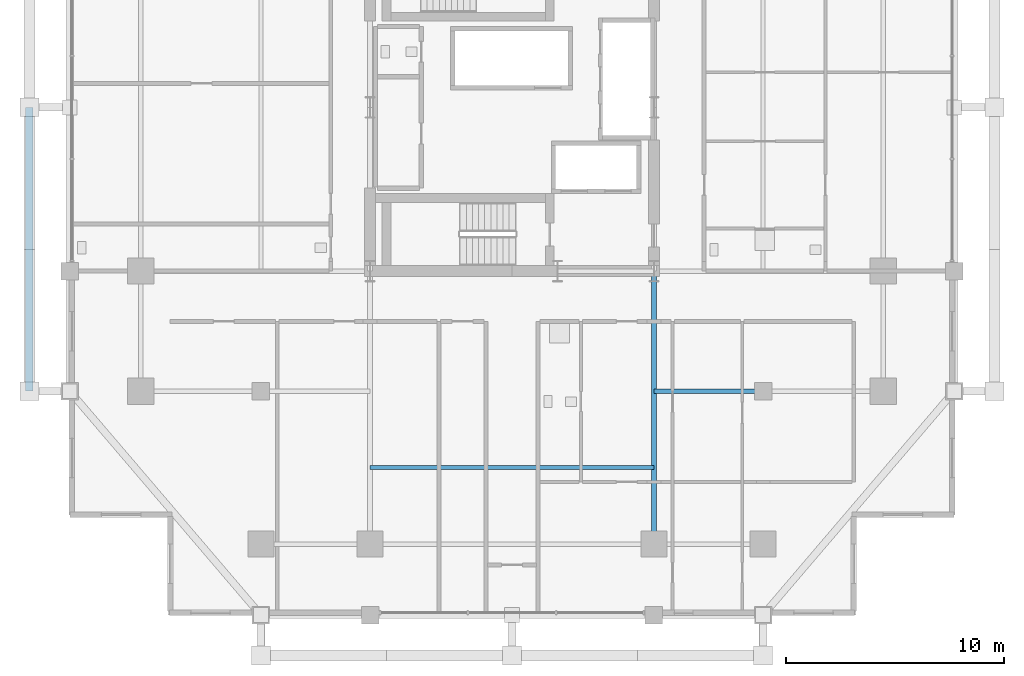
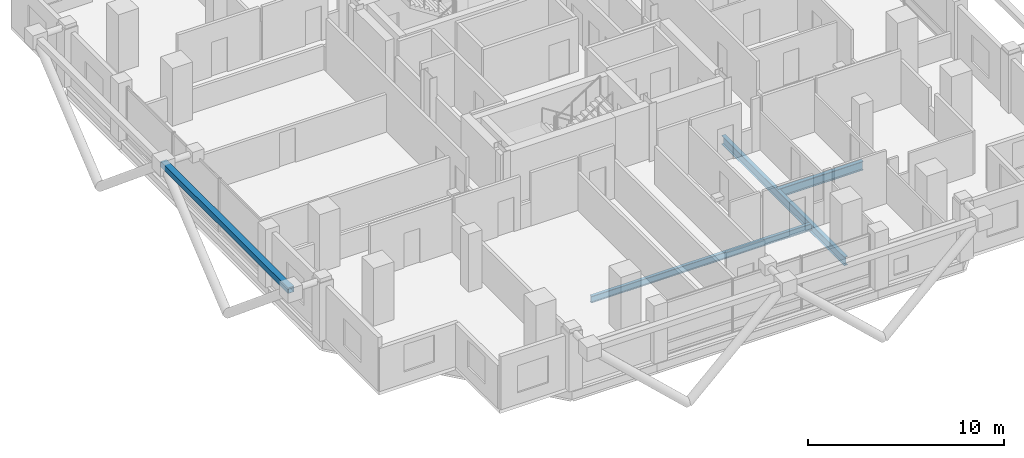
# One storey, part 4 of 25: 3 beams, 1 member.
"""IFC4 building model written with IfcOpenShell, lengths in metres."""

from ifc_helpers import new_model, si_unit, direction, frame, origin, origin_2d, place, context, subcontext, project, spatial, hollow_rectangle, i_section, extrude, material, material_profile, profile_set, type_object, element, save


model = new_model("IFC4")

# Units and contexts
model_context = context("Model", 3, precision=1e-05, world=origin(), true_north=direction((0.0, 1.0)))
body_context = subcontext(model_context, "Body", "Model", "MODEL_VIEW")
ifc_project = project(units=[si_unit("LENGTHUNIT", "METRE"), si_unit("AREAUNIT", "SQUARE_METRE"), si_unit("VOLUMEUNIT", "CUBIC_METRE"), si_unit("PLANEANGLEUNIT", "RADIAN"), si_unit("MASSUNIT", "GRAM", prefix="KILO")], contexts=[model_context])

# Site, building, storey
site_placement = place(None, origin())
site = spatial("IfcSite", under=ifc_project, at=site_placement, CompositionType="ELEMENT")
building_placement = place(site_placement, origin())
building = spatial("IfcBuilding", under=site, at=building_placement, Name="Barlavira Tower and Art Museum", CompositionType="ELEMENT")
storey_placement = place(building_placement, frame((0.0, 0.0, 162.0)))
storey = spatial("IfcBuildingStorey", under=building, at=storey_placement, Name="L41", CompositionType="ELEMENT", Elevation=162.0)

# Member
ifc_material = material(Name="Steel S355", Category="steel")
ifc_material_profile_1 = material_profile(ifc_material, hollow_rectangle(XDim=0.35009765625, YDim=0.35009765625, WallThickness=0.02001953125, at=origin_2d()), Name="SHS 350x350x20.0")
ifc_profile_set_1 = profile_set([ifc_material_profile_1], Name="Steel S355")
member_type = type_object("IfcMemberType", Name="Pale-Metal Exoskeleton Ring Strut SHS 350x350x20 Steel S355", PredefinedType="STRUT", material=ifc_profile_set_1)
member_placement = place(storey_placement, frame((-22.10009765625, -13.0, 3.47998046875), z_axis=(0.0, 1.0, 0.0), x_axis=(-1.0, 0.0, 0.0)))
element("IfcMember", 1, at=member_placement, inside=storey, type_object=member_type, Name="L41 Exoskeleton Top Ring Strut W", PredefinedType="STRUT", context=body_context, shape_type="SweptSolid", body=[
    extrude(hollow_rectangle(XDim=0.35009765625, YDim=0.35009765625, WallThickness=0.02001953125, at=origin_2d()), origin(), (0.0, 0.0, 1.0), 13.0),
])

# Beams
ifc_material_profile_2 = material_profile(ifc_material, i_section(OverallWidth=0.214111328125, OverallDepth=0.549072265625, WebThickness=0.0146484375, FlangeThickness=0.023681640625, at=origin_2d()), Name="W530x138.0")
ifc_profile_set_2 = profile_set([ifc_material_profile_2], Name="Steel S355")
beam_type_1 = type_object("IfcBeamType", Name="Zone 1 Primary Floor Girder W530x138 Steel S355", PredefinedType="BEAM", material=ifc_profile_set_2)
beam_1_placement = place(storey_placement, frame((6.5, -20.0, -0.494384765625), z_axis=(0.0, 1.0, 0.0), x_axis=(-1.0, 0.0, 0.0)))
element("IfcBeam", 2, at=beam_1_placement, inside=storey, type_object=beam_type_1, Name="L41 Girder R-S2", PredefinedType="BEAM", context=body_context, shape_type="SweptSolid", body=[
    extrude(i_section(OverallWidth=0.214111328125, OverallDepth=0.549072265625, WebThickness=0.0146484375, FlangeThickness=0.023681640625, at=origin_2d()), origin(), (0.0, 0.0, 1.0), 12.5),
])
beam_2_placement = place(storey_placement, frame((6.5, -13.0, -0.494384765625), z_axis=(1.0, 0.0, 0.0), x_axis=(0.0, 1.0, 0.0)))
element("IfcBeam", 3, at=beam_2_placement, inside=storey, type_object=beam_type_1, Name="L41 Girder I-S3", PredefinedType="BEAM", context=body_context, shape_type="SweptSolid", body=[
    extrude(i_section(OverallWidth=0.214111328125, OverallDepth=0.549072265625, WebThickness=0.0146484375, FlangeThickness=0.023681640625, at=origin_2d()), origin(), (0.0, 0.0, 1.0), 5.0),
])
ifc_material_profile_3 = material_profile(ifc_material, i_section(OverallWidth=0.179931640625, OverallDepth=0.4130859375, WebThickness=0.009765625, FlangeThickness=0.01611328125, at=origin_2d()), Name="W410x75.0")
ifc_profile_set_3 = profile_set([ifc_material_profile_3], Name="Steel S355")
beam_type_2 = type_object("IfcBeamType", Name="Zone 2 Composite Floor Joist W410x75 Steel S355", PredefinedType="JOIST", material=ifc_profile_set_3)
beam_3_placement = place(storey_placement, frame((-6.5, -16.5, -0.426513671875), z_axis=(1.0, 0.0, 0.0), x_axis=(0.0, 1.0, 0.0)))
element("IfcBeam", 4, at=beam_3_placement, inside=storey, type_object=beam_type_2, Name="L41 Joist C1", PredefinedType="JOIST", context=body_context, shape_type="SweptSolid", body=[
    extrude(i_section(OverallWidth=0.179931640625, OverallDepth=0.4130859375, WebThickness=0.009765625, FlangeThickness=0.01611328125, at=origin_2d()), origin(), (0.0, 0.0, 1.0), 13.0),
])

save(model, "model.ifc")
